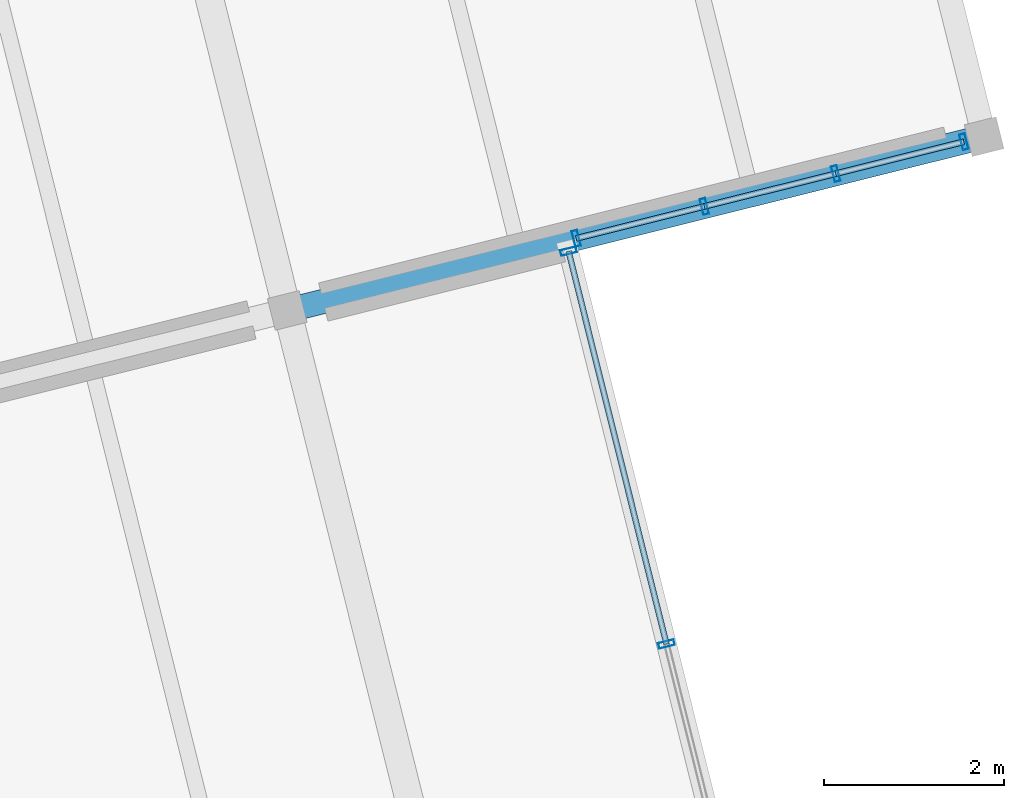
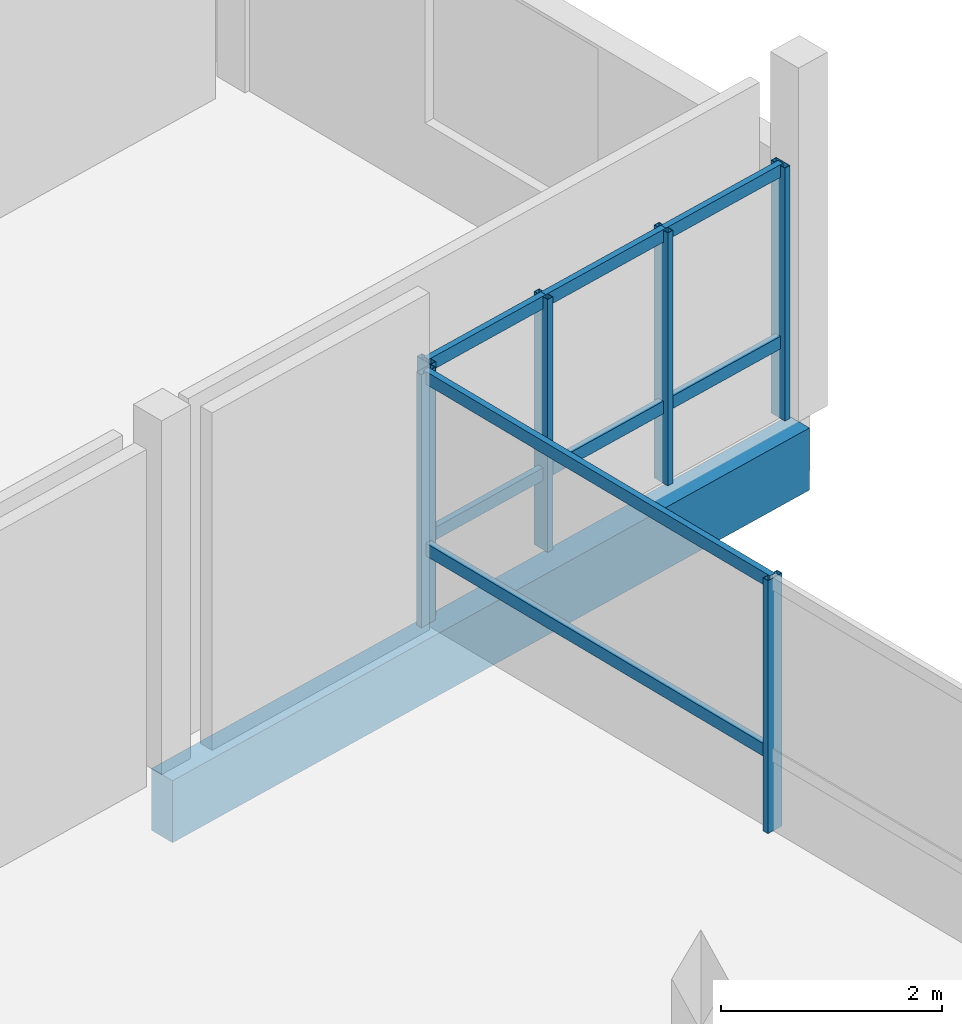
# One storey, part 14 of 28: 14 members, 1 beam, 2 elements without a shape of their own.
"""IFC4 building model written with IfcOpenShell, lengths in metres."""

from ifc_helpers import new_model, si_unit, direction, frame, origin, origin_2d, place, context, subcontext, project, spatial, rectangle, hollow_rectangle, extrude, material, layer, layer_set, material_profile, profile_set, type_object, element, aggregate, save


model = new_model("IFC4")

# Units and contexts
model_context = context("Model", 3, precision=1e-05, world=origin(), true_north=direction((0.0, 1.0)))
body_context = subcontext(model_context, "Body", "Model", "MODEL_VIEW")
ifc_project = project(units=[si_unit("LENGTHUNIT", "METRE"), si_unit("AREAUNIT", "SQUARE_METRE"), si_unit("VOLUMEUNIT", "CUBIC_METRE"), si_unit("PLANEANGLEUNIT", "RADIAN"), si_unit("MASSUNIT", "GRAM", prefix="KILO")], contexts=[model_context])

# Site, building, storey
site_placement = place(None, origin())
site = spatial("IfcSite", under=ifc_project, at=site_placement, CompositionType="ELEMENT")
building_placement = place(site_placement, origin())
building = spatial("IfcBuilding", under=site, at=building_placement, Name="Meriwether Solvik Hall", CompositionType="ELEMENT")
storey_placement = place(building_placement, frame((0.0, 0.0, 37.800048828125)))
storey = spatial("IfcBuildingStorey", under=building, at=storey_placement, Name="L09", CompositionType="ELEMENT", Elevation=37.800048828125)

# Beam
ifc_material_1 = material(Name="Glulam Douglas-Fir 24F-V8 GL28h", Category="wood")
ifc_material_profile_1 = material_profile(ifc_material_1, rectangle(XDim=0.27294921875, YDim=0.68505859375, at=origin_2d()), Name="GLB-273X685")
ifc_profile_set_1 = profile_set([ifc_material_profile_1], Name="Glulam Douglas-Fir 24F-V8 GL28h")
beam_type = type_object("IfcBeamType", Name="BM-GL-273X685", PredefinedType="BEAM", material=ifc_profile_set_1)
beam_placement = place(storey_placement, frame((100.192138671875, 63.29931640625, -0.5224609375), z_axis=(0.970298475929, 0.241910867076, 0.0), x_axis=(-0.241910867076, 0.970298475929, 0.0)))
element("IfcBeam", 1, at=beam_placement, inside=storey, type_object=beam_type, Name="Tower Girder TC:T6-T7 (L09)", PredefinedType="BEAM", context=body_context, shape_type="SweptSolid", body=[
    extrude(rectangle(XDim=0.27294921875, YDim=0.68505859375, at=origin_2d()), origin(), (0.0, 0.0, 1.0), 8.0),
])

# Curtain wall, members
ifc_material_2 = material(Name="Thermally Broken Anodised Aluminium 6063-T6 and Low-E Glass", Category="aluminium")
ifc_layer_1 = layer(ifc_material_2, 0.179931640625)
ifc_layer_set_1 = layer_set([ifc_layer_1], Name="Thermally Broken Anodised Aluminium 6063-T6 and Low-E Glass")
curtain_wall_type_1 = type_object("IfcCurtainWallType", Name="CW-UNIT-A", PredefinedType="USERDEFINED", material=ifc_layer_set_1)
curtain_wall_1_placement = place(storey_placement, origin())
curtain_wall_1 = element("IfcCurtainWall", 2, at=curtain_wall_1_placement, inside=storey, type_object=curtain_wall_type_1, Name="Curtain Wall E1_B0 (L09)", ObjectType="UNITISED CURTAIN WALL", PredefinedType="USERDEFINED")
ifc_material_3 = material(Name="Anodised Aluminium 6063-T6", Category="aluminium")
ifc_material_profile_2 = material_profile(ifc_material_3, hollow_rectangle(XDim=0.06494140625, YDim=0.179931640625, WallThickness=0.00439453125, at=origin_2d()), Name="CWM-65X180")
ifc_profile_set_2 = profile_set([ifc_material_profile_2], Name="Anodised Aluminium 6063-T6")
member_type_1 = type_object("IfcMemberType", Name="CW-MUL-65X180", PredefinedType="MULLION", material=ifc_profile_set_2)
member_1_placement = place(storey_placement, frame((103.32568359375, 63.958984375, 0.0), z_axis=(0.0, 0.0, 1.0), x_axis=(0.241921914296, -0.970295721615, 0.0)))
member_1 = element("IfcMember", 3, at=member_1_placement, type_object=member_type_1, Name="Curtain Wall Mullion 1", PredefinedType="MULLION", context=body_context, shape_type="SweptSolid", body=[
    extrude(hollow_rectangle(XDim=0.06494140625, YDim=0.179931640625, WallThickness=0.00439453125, at=origin_2d()), origin(), (0.0, 0.0, 1.0), 2.7900390625),
])
member_2_placement = place(storey_placement, frame((104.416259765625, 59.584228515625, 0.0), z_axis=(0.0, 0.0, 1.0), x_axis=(0.241921914296, -0.970295721615, 0.0)))
member_2 = element("IfcMember", 4, at=member_2_placement, type_object=member_type_1, Name="Curtain Wall Mullion 2", PredefinedType="MULLION", context=body_context, shape_type="SweptSolid", body=[
    extrude(hollow_rectangle(XDim=0.06494140625, YDim=0.179931640625, WallThickness=0.00439453125, at=origin_2d()), origin(), (0.0, 0.0, 1.0), 2.7900390625),
])

ifc_material_4 = material(Name="Thermally Broken Anodised Aluminium 6063-T6 and Low-E Glass", Category="aluminium")
ifc_layer_2 = layer(ifc_material_4, 0.179931640625)
ifc_layer_set_2 = layer_set([ifc_layer_2], Name="Thermally Broken Anodised Aluminium 6063-T6 and Low-E Glass")
curtain_wall_type_2 = type_object("IfcCurtainWallType", Name="CW-UNIT-B", PredefinedType="USERDEFINED", material=ifc_layer_set_2)
curtain_wall_2_placement = place(storey_placement, origin())
curtain_wall_2 = element("IfcCurtainWall", 5, at=curtain_wall_2_placement, inside=storey, type_object=curtain_wall_type_2, Name="Curtain Wall E2_B0 (L09)", ObjectType="UNITISED CURTAIN WALL", PredefinedType="USERDEFINED")
member_3_placement = place(storey_placement, frame((107.72900390625, 65.178466796875, 0.0), z_axis=(0.0, 0.0, 1.0), x_axis=(-0.970295698341, -0.241922007641, 0.0)))
member_3 = element("IfcMember", 6, at=member_3_placement, type_object=member_type_1, Name="Curtain Wall Mullion 1", PredefinedType="MULLION", context=body_context, shape_type="SweptSolid", body=[
    extrude(hollow_rectangle(XDim=0.06494140625, YDim=0.179931640625, WallThickness=0.00439453125, at=origin_2d()), origin(), (0.0, 0.0, 1.0), 2.7900390625),
])
member_4_placement = place(storey_placement, frame((106.302001953125, 64.82275390625, 0.0), z_axis=(0.0, 0.0, 1.0), x_axis=(-0.970295698341, -0.241922007641, 0.0)))
member_4 = element("IfcMember", 7, at=member_4_placement, type_object=member_type_1, Name="Curtain Wall Mullion 2", PredefinedType="MULLION", context=body_context, shape_type="SweptSolid", body=[
    extrude(hollow_rectangle(XDim=0.06494140625, YDim=0.179931640625, WallThickness=0.00439453125, at=origin_2d()), origin(), (0.0, 0.0, 1.0), 2.7900390625),
])
member_5_placement = place(storey_placement, frame((104.83837890625, 64.457763671875, 0.0), z_axis=(0.0, 0.0, 1.0), x_axis=(-0.970295698341, -0.241922007641, 0.0)))
member_5 = element("IfcMember", 8, at=member_5_placement, type_object=member_type_1, Name="Curtain Wall Mullion 3", PredefinedType="MULLION", context=body_context, shape_type="SweptSolid", body=[
    extrude(hollow_rectangle(XDim=0.06494140625, YDim=0.179931640625, WallThickness=0.00439453125, at=origin_2d()), origin(), (0.0, 0.0, 1.0), 2.7900390625),
])
member_6_placement = place(storey_placement, frame((103.41162109375, 64.10205078125, 0.0), z_axis=(0.0, 0.0, 1.0), x_axis=(-0.970295698341, -0.241922007641, 0.0)))
member_6 = element("IfcMember", 9, at=member_6_placement, type_object=member_type_1, Name="Curtain Wall Mullion 4", PredefinedType="MULLION", context=body_context, shape_type="SweptSolid", body=[
    extrude(hollow_rectangle(XDim=0.06494140625, YDim=0.179931640625, WallThickness=0.00439453125, at=origin_2d()), origin(), (0.0, 0.0, 1.0), 2.7900390625),
])

# Member
ifc_material_5 = material(Name="Anodised Aluminium 6063-T6", Category="aluminium")
ifc_material_profile_3 = material_profile(ifc_material_5, hollow_rectangle(XDim=0.06494140625, YDim=0.139892578125, WallThickness=0.00439453125, at=origin_2d()), Name="CWT-65X140")
ifc_profile_set_3 = profile_set([ifc_material_profile_3], Name="Anodised Aluminium 6063-T6")
member_type_2 = type_object("IfcMemberType", Name="CW-TRN-65X140", PredefinedType="USERDEFINED", material=ifc_profile_set_3)
member_7_placement = place(storey_placement, frame((103.32568359375, 63.958984375, 0.8369140625), z_axis=(0.24188577674, -0.970304731005, 0.0), x_axis=(0.970304731005, 0.24188577674, 0.0)))
member_7 = element("IfcMember", 10, at=member_7_placement, type_object=member_type_2, Name="Curtain Wall Transom 1-sill", ObjectType="TRANSOM", PredefinedType="USERDEFINED", context=body_context, shape_type="SweptSolid", body=[
    extrude(hollow_rectangle(XDim=0.06494140625, YDim=0.139892578125, WallThickness=0.00439453125, at=origin_2d()), origin(), (0.0, 0.0, 1.0), 4.508544921875),
])

member_8_placement = place(storey_placement, frame((103.32568359375, 63.958984375, 2.72998046875), z_axis=(0.24188577674, -0.970304731005, 0.0), x_axis=(0.970304731005, 0.24188577674, 0.0)))
member_8 = element("IfcMember", 11, at=member_8_placement, type_object=member_type_2, Name="Curtain Wall Transom 1-head", ObjectType="TRANSOM", PredefinedType="USERDEFINED", context=body_context, shape_type="SweptSolid", body=[
    extrude(hollow_rectangle(XDim=0.06494140625, YDim=0.139892578125, WallThickness=0.00439453125, at=origin_2d()), origin(), (0.0, 0.0, 1.0), 4.508544921875),
])

aggregate(curtain_wall_1, [member_1, member_2, member_7, member_8])

member_9_placement = place(storey_placement, frame((107.72900390625, 65.178466796875, 0.8369140625), z_axis=(-0.970308279444, -0.241871542027, 0.0), x_axis=(0.241871542027, -0.970308279444, 0.0)))
member_9 = element("IfcMember", 12, at=member_9_placement, type_object=member_type_2, Name="Curtain Wall Transom 1-sill", ObjectType="TRANSOM", PredefinedType="USERDEFINED", context=body_context, shape_type="SweptSolid", body=[
    extrude(hollow_rectangle(XDim=0.06494140625, YDim=0.139892578125, WallThickness=0.00439453125, at=origin_2d()), origin(), (0.0, 0.0, 1.0), 1.470703125),
])

member_10_placement = place(storey_placement, frame((107.72900390625, 65.178466796875, 2.72998046875), z_axis=(-0.970308279444, -0.241871542027, 0.0), x_axis=(0.241871542027, -0.970308279444, 0.0)))
member_10 = element("IfcMember", 13, at=member_10_placement, type_object=member_type_2, Name="Curtain Wall Transom 1-head", ObjectType="TRANSOM", PredefinedType="USERDEFINED", context=body_context, shape_type="SweptSolid", body=[
    extrude(hollow_rectangle(XDim=0.06494140625, YDim=0.139892578125, WallThickness=0.00439453125, at=origin_2d()), origin(), (0.0, 0.0, 1.0), 1.470703125),
])

member_11_placement = place(storey_placement, frame((106.302001953125, 64.82275390625, 0.8369140625), z_axis=(-0.970285139969, -0.241964351001, 0.0), x_axis=(0.241964351001, -0.970285139969, 0.0)))
member_11 = element("IfcMember", 14, at=member_11_placement, type_object=member_type_2, Name="Curtain Wall Transom 2-sill", ObjectType="TRANSOM", PredefinedType="USERDEFINED", context=body_context, shape_type="SweptSolid", body=[
    extrude(hollow_rectangle(XDim=0.06494140625, YDim=0.139892578125, WallThickness=0.00439453125, at=origin_2d()), origin(), (0.0, 0.0, 1.0), 1.508544921875),
])

member_12_placement = place(storey_placement, frame((106.302001953125, 64.82275390625, 2.72998046875), z_axis=(-0.970285139969, -0.241964351001, 0.0), x_axis=(0.241964351001, -0.970285139969, 0.0)))
member_12 = element("IfcMember", 15, at=member_12_placement, type_object=member_type_2, Name="Curtain Wall Transom 2-head", ObjectType="TRANSOM", PredefinedType="USERDEFINED", context=body_context, shape_type="SweptSolid", body=[
    extrude(hollow_rectangle(XDim=0.06494140625, YDim=0.139892578125, WallThickness=0.00439453125, at=origin_2d()), origin(), (0.0, 0.0, 1.0), 1.508544921875),
])

member_13_placement = place(storey_placement, frame((104.83837890625, 64.457763671875, 0.8369140625), z_axis=(-0.970298565408, -0.241910508179, 0.0), x_axis=(0.241910508179, -0.970298565408, 0.0)))
member_13 = element("IfcMember", 16, at=member_13_placement, type_object=member_type_2, Name="Curtain Wall Transom 3-sill", ObjectType="TRANSOM", PredefinedType="USERDEFINED", context=body_context, shape_type="SweptSolid", body=[
    extrude(hollow_rectangle(XDim=0.06494140625, YDim=0.139892578125, WallThickness=0.00439453125, at=origin_2d()), origin(), (0.0, 0.0, 1.0), 1.470458984375),
])

member_14_placement = place(storey_placement, frame((104.83837890625, 64.457763671875, 2.72998046875), z_axis=(-0.970298565408, -0.241910508179, 0.0), x_axis=(0.241910508179, -0.970298565408, 0.0)))
member_14 = element("IfcMember", 17, at=member_14_placement, type_object=member_type_2, Name="Curtain Wall Transom 3-head", ObjectType="TRANSOM", PredefinedType="USERDEFINED", context=body_context, shape_type="SweptSolid", body=[
    extrude(hollow_rectangle(XDim=0.06494140625, YDim=0.139892578125, WallThickness=0.00439453125, at=origin_2d()), origin(), (0.0, 0.0, 1.0), 1.470458984375),
])

aggregate(curtain_wall_2, [member_3, member_4, member_5, member_6, member_9, member_10, member_11, member_12, member_13, member_14])

save(model, "model.ifc")
